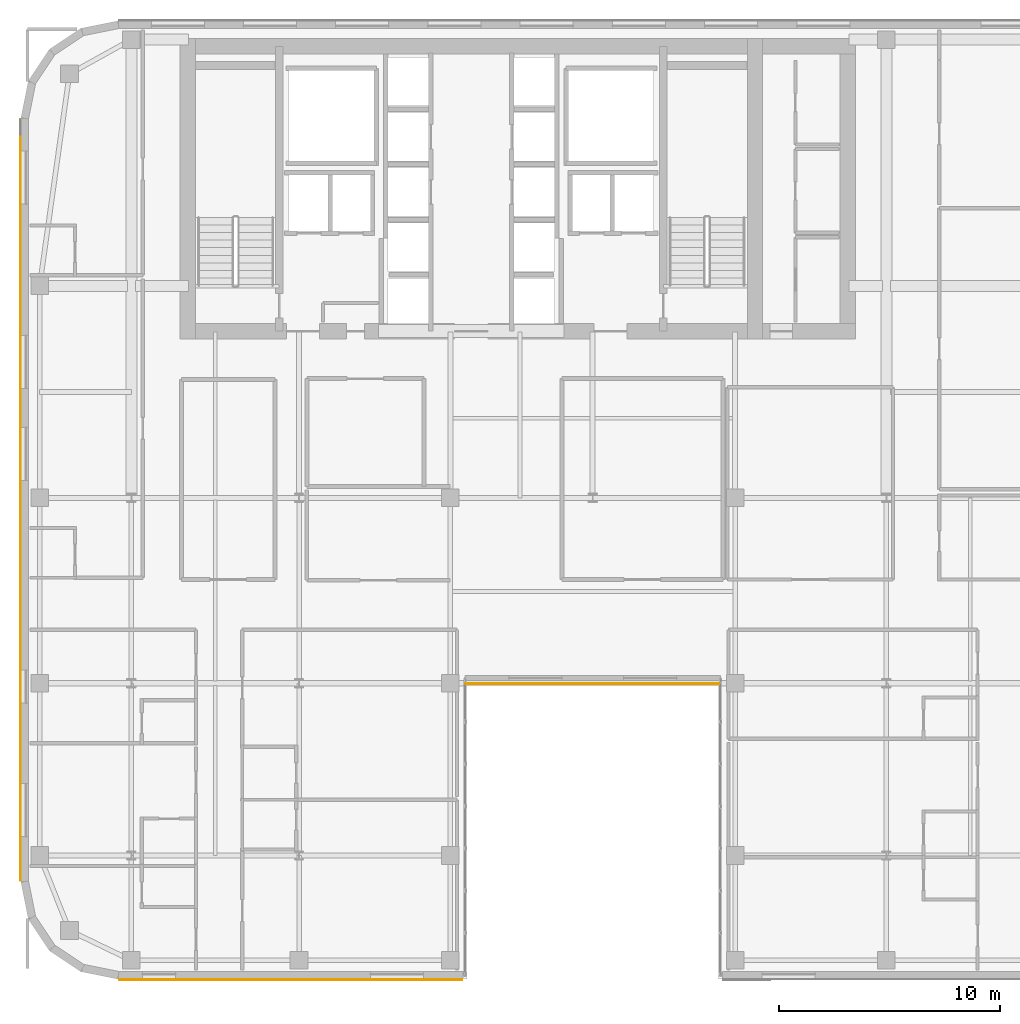
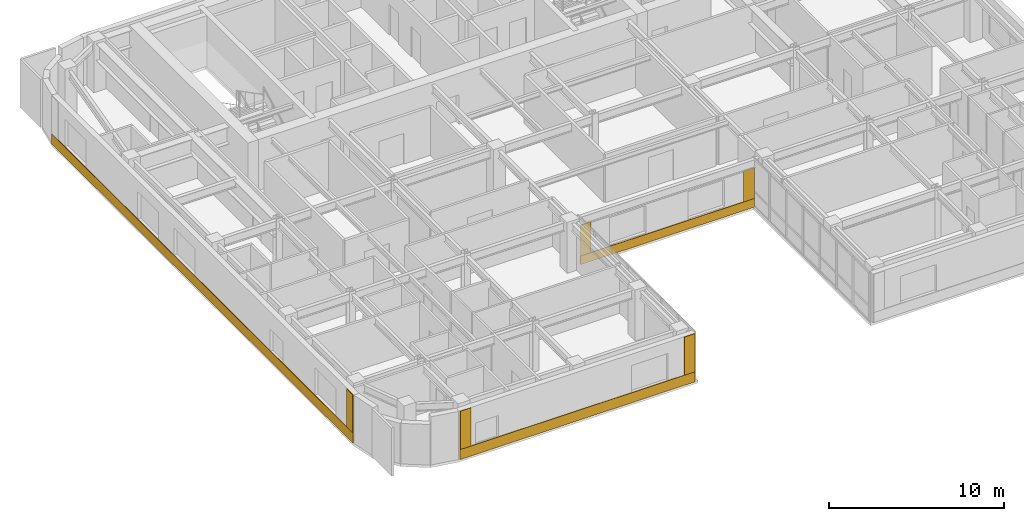
# One storey, part 16 of 20: 8 coverings.
"""IFC4 building model written with IfcOpenShell, lengths in metres."""

from ifc_helpers import new_model, si_unit, direction, frame, origin, place, context, subcontext, project, spatial, polyline, outline, extrude, material, layer, layer_set, type_object, element, save


model = new_model("IFC4")

# Units and contexts
model_context = context("Model", 3, precision=1e-05, world=origin(), true_north=direction((0.0, 1.0)))
body_context = subcontext(model_context, "Body", "Model", "MODEL_VIEW")
ifc_project = project(units=[si_unit("LENGTHUNIT", "METRE"), si_unit("AREAUNIT", "SQUARE_METRE"), si_unit("VOLUMEUNIT", "CUBIC_METRE"), si_unit("PLANEANGLEUNIT", "RADIAN"), si_unit("MASSUNIT", "GRAM", prefix="KILO")], contexts=[model_context])

# Site, building, storey
site_placement = place(None, origin())
site = spatial("IfcSite", under=ifc_project, at=site_placement, CompositionType="ELEMENT")
building_placement = place(site_placement, origin())
building = spatial("IfcBuilding", under=site, at=building_placement, Name="Tolvann Quenvar Hotel", CompositionType="ELEMENT")
storey_placement = place(building_placement, frame((0.0, 0.0, 175.449951171875)))
storey = spatial("IfcBuildingStorey", under=building, at=storey_placement, Name="L46", CompositionType="ELEMENT", Elevation=175.449951171875)

# Coverings
ifc_material_1 = material(Name="Kiln-fired red architectural face brick cladding", Category="masonry")
ifc_layer_1 = layer(ifc_material_1, 0.0400390625)
ifc_layer_set_1 = layer_set([ifc_layer_1], Name="Kiln-fired red architectural face brick cladding")
covering_type_1 = type_object("IfcCoveringType", Name="COV_CLAD_BRICK_40", PredefinedType="CLADDING", material=ifc_layer_set_1)
covering_1_placement = place(storey_placement, frame((0.0, 0.0, 0.699951171875)))
element("IfcCovering", 1, at=covering_1_placement, inside=storey, type_object=covering_type_1, Name="Brick Pier Cladding (L46-E04-P1)", PredefinedType="CLADDING", context=body_context, shape_type="SweptSolid", body=[
    extrude(outline(polyline([(7.067138671875, 2.60009765625), (7.76708984375, 2.60009765625), (7.76708984375, 2.56005859375), (7.067138671875, 2.56005859375), (7.067138671875, 2.60009765625)])), origin(), (0.0, 0.0, 1.0), 2.670166015625),
])
covering_2_placement = place(storey_placement, frame((0.0, 0.0, 0.699951171875)))
element("IfcCovering", 2, at=covering_2_placement, inside=storey, type_object=covering_type_1, Name="Brick Pier Cladding (L46-E04-P2)", PredefinedType="CLADDING", context=body_context, shape_type="SweptSolid", body=[
    extrude(outline(polyline([(21.875, 2.60009765625), (22.574951171875, 2.60009765625), (22.574951171875, 2.56005859375), (21.875, 2.56005859375), (21.875, 2.60009765625)])), origin(), (0.0, 0.0, 1.0), 2.670166015625),
])
covering_3_placement = place(storey_placement, frame((0.0, 0.0, 0.60693359375)))
element("IfcCovering", 3, at=covering_3_placement, inside=storey, type_object=covering_type_1, Name="Brick Pier Cladding (L46-E06-P1)", PredefinedType="CLADDING", context=body_context, shape_type="SweptSolid", body=[
    extrude(outline(polyline([(22.760009765625, 16.0), (23.4599609375, 16.0), (23.4599609375, 15.9599609375), (22.760009765625, 15.9599609375), (22.760009765625, 16.0)])), origin(), (0.0, 0.0, 1.0), 2.151123046875),
])
covering_4_placement = place(storey_placement, frame((0.0, 0.0, 0.60693359375)))
element("IfcCovering", 4, at=covering_4_placement, inside=storey, type_object=covering_type_1, Name="Brick Pier Cladding (L46-E06-P2)", PredefinedType="CLADDING", context=body_context, shape_type="SweptSolid", body=[
    extrude(outline(polyline([(33.5400390625, 16.0), (34.239990234375, 16.0), (34.239990234375, 15.9599609375), (33.5400390625, 15.9599609375), (33.5400390625, 16.0)])), origin(), (0.0, 0.0, 1.0), 2.151123046875),
])
covering_5_placement = place(storey_placement, frame((0.0, 0.0, 0.699951171875)))
element("IfcCovering", 5, at=covering_5_placement, inside=storey, type_object=covering_type_1, Name="Brick Pier Cladding (L46-E23-P2)", PredefinedType="CLADDING", context=body_context, shape_type="SweptSolid", body=[
    extrude(outline(polyline([(2.60009765625, 7.76708984375), (2.60009765625, 7.067138671875), (2.56005859375, 7.067138671875), (2.56005859375, 7.76708984375), (2.60009765625, 7.76708984375)])), origin(), (0.0, 0.0, 1.0), 2.670166015625),
])
ifc_material_2 = material(Name="Moulded buff architectural terracotta spandrel cladding", Category="masonry")
ifc_layer_2 = layer(ifc_material_2, 0.0400390625)
ifc_layer_set_2 = layer_set([ifc_layer_2], Name="Moulded buff architectural terracotta spandrel cladding")
covering_type_2 = type_object("IfcCoveringType", Name="COV_CLAD_TERRA_40", PredefinedType="CLADDING", material=ifc_layer_set_2)
covering_6_placement = place(storey_placement, origin())
element("IfcCovering", 6, at=covering_6_placement, inside=storey, type_object=covering_type_2, Name="Terracotta Spandrel Cladding (L46-E04)", PredefinedType="CLADDING", context=body_context, shape_type="SweptSolid", body=[
    extrude(outline(polyline([(7.05712890625, 2.60009765625), (22.5849609375, 2.60009765625), (22.5849609375, 2.56005859375), (7.05712890625, 2.56005859375), (7.05712890625, 2.60009765625)])), origin(), (0.0, 0.0, 1.0), 0.699951171875),
])
covering_7_placement = place(storey_placement, origin())
element("IfcCovering", 7, at=covering_7_placement, inside=storey, type_object=covering_type_2, Name="Terracotta Spandrel Cladding (L46-E06)", PredefinedType="CLADDING", context=body_context, shape_type="SweptSolid", body=[
    extrude(outline(polyline([(22.75, 16.0), (34.25, 16.0), (34.25, 15.9599609375), (22.75, 15.9599609375), (22.75, 16.0)])), origin(), (0.0, 0.0, 1.0), 0.60693359375),
])
covering_8_placement = place(storey_placement, origin())
element("IfcCovering", 8, at=covering_8_placement, inside=storey, type_object=covering_type_2, Name="Terracotta Spandrel Cladding (L46-E23)", PredefinedType="CLADDING", context=body_context, shape_type="SweptSolid", body=[
    extrude(outline(polyline([(2.60009765625, 41.542724609375), (2.60009765625, 7.05712890625), (2.56005859375, 7.05712890625), (2.56005859375, 41.542724609375), (2.60009765625, 41.542724609375)])), origin(), (0.0, 0.0, 1.0), 0.699951171875),
])

save(model, "model.ifc")
